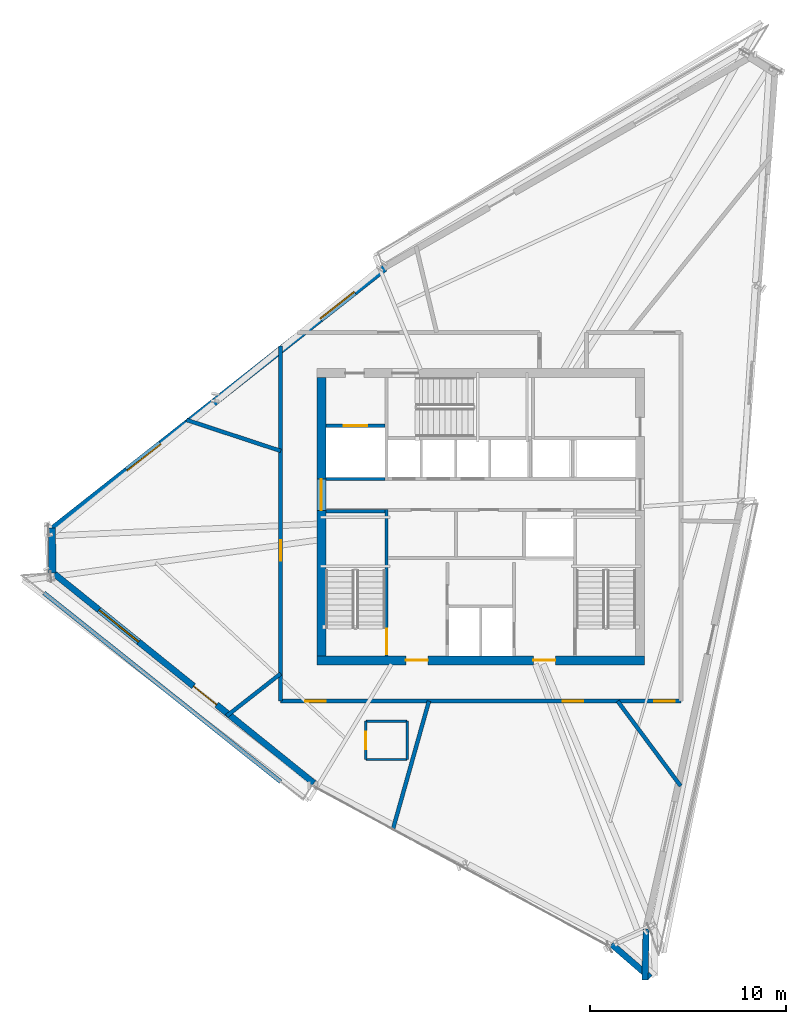
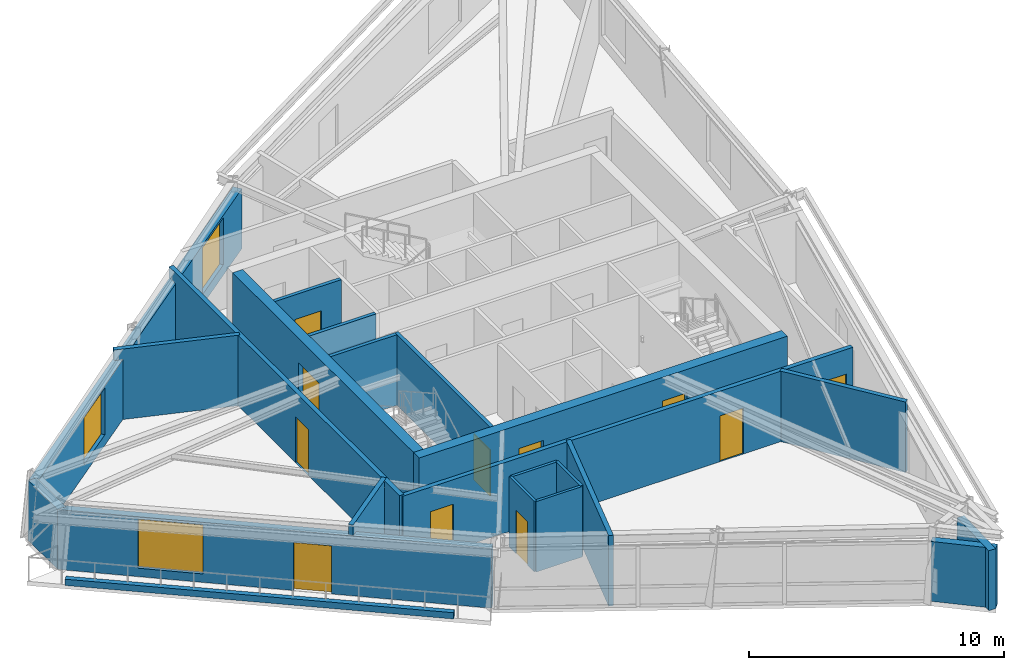
# One storey, part 10 of 15: 22 walls, 11 doors, 3 windows, 14 openings.
"""IFC4 building model written with IfcOpenShell, lengths in metres."""

from ifc_helpers import new_model, si_unit, direction, frame, frame_2d, origin, place, context, subcontext, project, spatial, rectangle, extrude, source, transform, mapped, material, layer, layer_set, type_object, type_shapes, element, fill, save


model = new_model("IFC4")

# Units and contexts
model_context = context("Model", 3, precision=1e-05, world=origin(), true_north=direction((0.0, 1.0)))
body_context = subcontext(model_context, "Body", "Model", "MODEL_VIEW")
ifc_project = project(units=[si_unit("LENGTHUNIT", "METRE"), si_unit("AREAUNIT", "SQUARE_METRE"), si_unit("VOLUMEUNIT", "CUBIC_METRE"), si_unit("PLANEANGLEUNIT", "RADIAN"), si_unit("MASSUNIT", "GRAM", prefix="KILO")], contexts=[model_context])

# Site, building, storey
site_placement = place(None, origin())
site = spatial("IfcSite", under=ifc_project, at=site_placement, CompositionType="ELEMENT")
building_placement = place(site_placement, origin())
building = spatial("IfcBuilding", under=site, at=building_placement, Name="Olszyna Solenne Hotel", CompositionType="ELEMENT")
storey_placement = place(building_placement, frame((0.0, 0.0, 270.5)))
storey = spatial("IfcBuildingStorey", under=building, at=storey_placement, Name="L72", CompositionType="ELEMENT", Elevation=270.5)

# Wall, openings, doors
ifc_material_1 = material(Name="Concrete C50/60", Category="concrete")
ifc_layer_1 = layer(ifc_material_1, 0.449951171875, Name="Concrete C50/60")
ifc_layer_set_1 = layer_set([ifc_layer_1], Name="Concrete C50/60")
wall_type_1 = type_object("IfcWallType", Name="WL-CR450", PredefinedType="SHEAR", material=ifc_layer_set_1)
wall_1_placement = place(storey_placement, frame((46.35009765625, 19.27490234375, 0.0), z_axis=(0.0, 0.0, 1.0), x_axis=(-1.0, 0.0, 0.0)))
wall_1 = element("IfcWall", 1, at=wall_1_placement, inside=storey, type_object=wall_type_1, Name="Core shear wall WL-CR450 CRW-L72-S", PredefinedType="SHEAR", context=body_context, shape_type="SweptSolid", body=[
    extrude(rectangle(XDim=16.7001953125, YDim=0.449951171875, at=frame_2d((8.35009765625, 0.0))), origin(), (0.0, 0.0, 1.0), 3.3798828125),
])
opening_1_placement = place(wall_1_placement, frame((4.550048828125, 0.0, 0.0)))
opening_1 = element("IfcOpeningElement", 2, at=opening_1_placement, cuts=wall_1, Name="Opening FL-L72-1", PredefinedType="OPENING", context=body_context, shape_type="SweptSolid", body=[
    extrude(rectangle(XDim=1.1201171875, YDim=2.25, at=frame_2d((0.56005859375, 1.125))), frame((0.0, 0.23486328125, 0.0), z_axis=(0.0, -1.0, 0.0), x_axis=(1.0, 0.0, 0.0)), (0.0, 0.0, 1.0), 0.469970703125),
])
opening_2_placement = place(wall_1_placement, frame((11.050048828125, 0.0, 0.0)))
opening_2 = element("IfcOpeningElement", 3, at=opening_2_placement, cuts=wall_1, Name="Opening FL-L72-2", PredefinedType="OPENING", context=body_context, shape_type="SweptSolid", body=[
    extrude(rectangle(XDim=1.1201171875, YDim=2.25, at=frame_2d((0.56005859375, 1.125))), frame((0.0, 0.23486328125, 0.0), z_axis=(0.0, -1.0, 0.0), x_axis=(1.0, 0.0, 0.0)), (0.0, 0.0, 1.0), 0.469970703125),
])
ifc_material_2 = material(Name="Steel S355J2", Category="steel")
door_type_1 = type_object("IfcDoorType", Name="DR-FL1", OperationType="NOTDEFINED", PredefinedType="DOOR", material=ifc_material_2)
shared_shape_1 = source(origin(), body_context, "Body", "SweptSolid", [
    extrude(rectangle(XDim=1.1201171875, YDim=2.25, at=frame_2d((0.56005859375, 1.125))), frame((0.0, 0.02490234375, 0.0), z_axis=(0.0, -1.0, 0.0), x_axis=(1.0, 0.0, 0.0)), (0.0, 0.0, 1.0), 0.050048828125),
])
type_shapes(door_type_1, [shared_shape_1])
door_1_placement = place(opening_1_placement, origin())
door_1 = element("IfcDoor", 4, at=door_1_placement, inside=storey, type_object=door_type_1, Name="Firefighting lift lobby smoke door FL-L72-1", OperationType="SINGLE_SWING_LEFT", OverallHeight=2.25, OverallWidth=1.1201171875, PredefinedType="DOOR", context=body_context, shape_type="MappedRepresentation", body=[
    mapped(shared_shape_1, transform((0.0, 0.0, 0.0), x_axis=(1.0, 0.0, 0.0), y_axis=(0.0, 1.0, 0.0), z_axis=(0.0, 0.0, 1.0), scale=1.0)),
])
fill(opening_1, door_1)
door_2_placement = place(opening_2_placement, origin())
door_2 = element("IfcDoor", 5, at=door_2_placement, inside=storey, type_object=door_type_1, Name="Firefighting lift lobby smoke door FL-L72-2", OperationType="SINGLE_SWING_RIGHT", OverallHeight=2.25, OverallWidth=1.1201171875, PredefinedType="DOOR", context=body_context, shape_type="MappedRepresentation", body=[
    mapped(shared_shape_1, transform((0.0, 0.0, 0.0), x_axis=(1.0, 0.0, 0.0), y_axis=(0.0, 1.0, 0.0), z_axis=(0.0, 0.0, 1.0), scale=1.0)),
])
fill(opening_2, door_2)

# Wall, opening, door
wall_2_placement = place(storey_placement, frame((29.875, 19.5, 0.0), z_axis=(0.0, 0.0, 1.0), x_axis=(0.0, 1.0, 0.0)))
wall_2 = element("IfcWall", 6, at=wall_2_placement, inside=storey, type_object=wall_type_1, Name="Core shear wall WL-CR450 CRW-L72-W", PredefinedType="SHEAR", context=body_context, shape_type="SweptSolid", body=[
    extrude(rectangle(XDim=14.199951171875, YDim=0.449951171875, at=frame_2d((7.10009765625, 0.0))), origin(), (0.0, 0.0, 1.0), 3.3798828125),
])
opening_3_placement = place(wall_2_placement, frame((7.419921875, 0.0, 0.0)))
opening_3 = element("IfcOpeningElement", 7, at=opening_3_placement, cuts=wall_2, Name="Opening LHD-L72-W", PredefinedType="OPENING", context=body_context, shape_type="SweptSolid", body=[
    extrude(rectangle(XDim=1.60009765625, YDim=2.199951171875, at=frame_2d((0.800048828125, 1.10009765625))), frame((0.0, 0.23486328125, 0.0), z_axis=(0.0, -1.0, 0.0), x_axis=(1.0, 0.0, 0.0)), (0.0, 0.0, 1.0), 0.469970703125),
])
ifc_material_3 = material(Name="Timber hardwood", Category="wood")
door_type_2 = type_object("IfcDoorType", Name="DR-CR1", OperationType="DOUBLE_DOOR_SINGLE_SWING", PredefinedType="DOOR", material=ifc_material_3)
shared_shape_2 = source(origin(), body_context, "Body", "SweptSolid", [
    extrude(rectangle(XDim=1.60009765625, YDim=2.199951171875, at=frame_2d((0.800048828125, 1.10009765625))), frame((0.0, 0.02490234375, 0.0), z_axis=(0.0, -1.0, 0.0), x_axis=(1.0, 0.0, 0.0)), (0.0, 0.0, 1.0), 0.050048828125),
])
type_shapes(door_type_2, [shared_shape_2])
door_3_placement = place(opening_3_placement, origin())
door_3 = element("IfcDoor", 8, at=door_3_placement, inside=storey, type_object=door_type_2, Name="Passenger lift lobby West fire door LHD-L72-W", OperationType="DOUBLE_DOOR_SINGLE_SWING", OverallHeight=2.199951171875, OverallWidth=1.60009765625, PredefinedType="DOOR", context=body_context, shape_type="MappedRepresentation", body=[
    mapped(shared_shape_2, transform((0.0, 0.0, 0.0), x_axis=(1.0, 0.0, 0.0), y_axis=(0.0, 1.0, 0.0), z_axis=(0.0, 0.0, 1.0), scale=1.0)),
])
fill(opening_3, door_3)

# Walls
ifc_material_4 = material(Name="Precast concrete C45/55", Category="concrete")
ifc_layer_2 = layer(ifc_material_4, 0.320068359375, Name="Precast concrete C45/55")
ifc_layer_set_2 = layer_set([ifc_layer_2], Name="Precast concrete C45/55")
wall_type_2 = type_object("IfcWallType", Name="WL-EX320", PredefinedType="SOLIDWALL", material=ifc_layer_set_2)
for number, where, z_axis, x_axis, name in (
    (9, (46.429443359375, 5.583984375, 0.0), (0.0, 0.0, 1.0), (-0.022840974422, -0.999739110912, 0.0), "Exterior terracotta-precast frame wall WL-EX320 EW-L72-02"),
    (10, (46.635009765625, 3.1044921875, 0.0), (0.0, 0.0, 1.0), (-0.755996031842, 0.65457619865, 0.0), "Exterior terracotta-precast frame wall WL-EX320 EW-L72-03"),
):
    element("IfcWall", number, at=place(storey_placement, frame(where, z_axis=z_axis, x_axis=x_axis)), inside=storey, type_object=wall_type_2, Name=name, PredefinedType="SOLIDWALL", context=body_context, shape_type="SweptSolid", body=[
        extrude(rectangle(XDim=2.597412109375, YDim=0.320068359375, at=frame_2d((1.298828125, 0.0))), origin(), (0.0, 0.0, 1.0), 2.8720703125),
    ])

# Wall, openings, door, window
wall_3_placement = place(storey_placement, frame((29.490234375, 13.020751953125, 0.0), z_axis=(0.0, 0.0, 1.0), x_axis=(-0.778476594197, 0.627673635169, 0.0)))
wall_3 = element("IfcWall", 11, at=wall_3_placement, inside=storey, type_object=wall_type_2, Name="Exterior terracotta-precast frame wall WL-EX320 EW-L72-05", PredefinedType="SOLIDWALL", context=body_context, shape_type="SweptSolid", body=[
    extrude(rectangle(XDim=17.25634765625, YDim=0.320068359375, at=frame_2d((8.628173828125, 0.0))), origin(), (0.0, 0.0, 1.0), 2.8720703125),
])
opening_4_placement = place(wall_3_placement, frame((6.3720703125, 0.0, 0.0)))
opening_4 = element("IfcOpeningElement", 12, at=opening_4_placement, cuts=wall_3, Name="Opening LDG-L72-2", PredefinedType="OPENING", context=body_context, shape_type="SweptSolid", body=[
    extrude(rectangle(XDim=1.5, YDim=2.300048828125, at=frame_2d((0.75, 1.14990234375))), frame((0.0, 0.169921875, 0.0), z_axis=(0.0, -1.0, 0.0), x_axis=(1.0, 0.0, 0.0)), (0.0, 0.0, 1.0), 0.340087890625),
])
opening_5_placement = place(wall_3_placement, frame((11.469970703125, 0.0, 0.402099609375)))
opening_5 = element("IfcOpeningElement", 13, at=opening_5_placement, cuts=wall_3, Name="Opening WN-L72-481", PredefinedType="OPENING", context=body_context, shape_type="SweptSolid", body=[
    extrude(rectangle(XDim=2.60009765625, YDim=2.35009765625, at=frame_2d((1.300048828125, 1.175048828125))), frame((0.0, 0.169921875, 0.0), z_axis=(0.0, -1.0, 0.0), x_axis=(1.0, 0.0, 0.0)), (0.0, 0.0, 1.0), 0.340087890625),
])
ifc_material_5 = material(Name="Anodised bronze aluminium", Category="aluminium")
door_type_3 = type_object("IfcDoorType", Name="DR-LG2", OperationType="DOUBLE_DOOR_SINGLE_SWING", PredefinedType="DOOR", material=ifc_material_5)
shared_shape_3 = source(origin(), body_context, "Body", "SweptSolid", [
    extrude(rectangle(XDim=1.5, YDim=2.300048828125, at=frame_2d((0.75, 1.14990234375))), frame((0.0, 0.02490234375, 0.0), z_axis=(0.0, -1.0, 0.0), x_axis=(1.0, 0.0, 0.0)), (0.0, 0.0, 1.0), 0.050048828125),
])
type_shapes(door_type_3, [shared_shape_3])
door_4_placement = place(opening_4_placement, origin())
door_4 = element("IfcDoor", 14, at=door_4_placement, inside=storey, type_object=door_type_3, Name="Exterior loggia balcony door DR-LG2 LDG-L72-2", OperationType="DOUBLE_DOOR_SINGLE_SWING", OverallHeight=2.300048828125, OverallWidth=1.5, PredefinedType="DOOR", context=body_context, shape_type="MappedRepresentation", body=[
    mapped(shared_shape_3, transform((0.0, 0.0, 0.0), x_axis=(1.0, 0.0, 0.0), y_axis=(0.0, 1.0, 0.0), z_axis=(0.0, 0.0, 1.0), scale=1.0)),
])
fill(opening_4, door_4)
ifc_material_6 = material(Name="Low-E triple glazing", Category="glass")
window_type_1 = type_object("IfcWindowType", Name="WN-ST1", PartitioningType="SINGLE_PANEL", PredefinedType="WINDOW", material=ifc_material_6)
shared_shape_4 = source(origin(), body_context, "Body", "SweptSolid", [
    extrude(rectangle(XDim=2.60009765625, YDim=2.35009765625, at=frame_2d((1.300048828125, 1.175048828125))), frame((0.0, 0.030029296875, 0.0), z_axis=(0.0, -1.0, 0.0), x_axis=(1.0, 0.0, 0.0)), (0.0, 0.0, 1.0), 0.06005859375),
])
type_shapes(window_type_1, [shared_shape_4])
window_1_placement = place(opening_5_placement, origin())
window_1 = element("IfcWindow", 15, at=window_1_placement, inside=storey, type_object=window_type_1, Name="Loggia room window WN-ST1 WN-L72-481", OverallHeight=2.35009765625, OverallWidth=2.60009765625, PartitioningType="SINGLE_PANEL", PredefinedType="WINDOW", context=body_context, shape_type="MappedRepresentation", body=[
    mapped(shared_shape_4, transform((0.0, 0.0, 0.0), x_axis=(1.0, 0.0, 0.0), y_axis=(0.0, 1.0, 0.0), z_axis=(0.0, 0.0, 1.0), scale=1.0)),
])
fill(opening_5, window_1)

# Wall
ifc_material_7 = material(Name="Terracotta cladding on precast concrete C45/55", Category="masonry")
ifc_layer_3 = layer(ifc_material_7, 0.3798828125, Name="Terracotta cladding on precast concrete C45/55")
ifc_layer_set_3 = layer_set([ifc_layer_3], Name="Terracotta cladding on precast concrete C45/55")
wall_type_3 = type_object("IfcWallType", Name="WL-EX380", PredefinedType="SOLIDWALL", material=ifc_layer_set_3)
wall_4_placement = place(storey_placement, frame((16.146240234375, 23.72802734375, 0.0), z_axis=(0.0, 0.0, 1.0), x_axis=(-0.003507631483, 0.999993848242, 0.0)))
element("IfcWall", 16, at=wall_4_placement, inside=storey, type_object=wall_type_3, Name="Exterior terracotta-precast frame wall WL-EX380 EW-L72-06", PredefinedType="SOLIDWALL", context=body_context, shape_type="SweptSolid", body=[
    extrude(rectangle(XDim=2.296875, YDim=0.3798828125, at=frame_2d((1.1484375, 0.0))), origin(), (0.0, 0.0, 1.0), 2.8720703125),
])

# Wall, openings, windows
wall_5_placement = place(storey_placement, frame((16.065673828125, 25.875, 0.0), z_axis=(0.0, 0.0, 1.0), x_axis=(0.785693730349, 0.61861568206, 0.0)))
wall_5 = element("IfcWall", 17, at=wall_5_placement, inside=storey, type_object=wall_type_3, Name="Exterior terracotta-precast frame wall WL-EX380 EW-L72-07", PredefinedType="SOLIDWALL", context=body_context, shape_type="SweptSolid", body=[
    extrude(rectangle(XDim=21.674560546875, YDim=0.3798828125, at=frame_2d((10.83740234375, 0.0))), origin(), (0.0, 0.0, 1.0), 2.8720703125),
])
opening_6_placement = place(wall_5_placement, frame((4.968994140625, 0.0, 0.501953125)))
opening_6 = element("IfcOpeningElement", 18, at=opening_6_placement, cuts=wall_5, Name="Opening WN-L72-482", PredefinedType="OPENING", context=body_context, shape_type="SweptSolid", body=[
    extrude(rectangle(XDim=2.199951171875, YDim=2.25, at=frame_2d((1.10009765625, 1.125))), frame((0.0, 0.199951171875, 0.0), z_axis=(0.0, -1.0, 0.0), x_axis=(1.0, 0.0, 0.0)), (0.0, 0.0, 1.0), 0.39990234375),
])
opening_7_placement = place(wall_5_placement, frame((17.506103515625, 0.0, 0.501953125)))
opening_7 = element("IfcOpeningElement", 19, at=opening_7_placement, cuts=wall_5, Name="Opening WN-L72-483", PredefinedType="OPENING", context=body_context, shape_type="SweptSolid", body=[
    extrude(rectangle(XDim=2.199951171875, YDim=2.25, at=frame_2d((1.10009765625, 1.125))), frame((0.0, 0.199951171875, 0.0), z_axis=(0.0, -1.0, 0.0), x_axis=(1.0, 0.0, 0.0)), (0.0, 0.0, 1.0), 0.39990234375),
])
window_type_2 = type_object("IfcWindowType", Name="WN-HT2", PartitioningType="SINGLE_PANEL", PredefinedType="WINDOW", material=ifc_material_6)
shared_shape_5 = source(origin(), body_context, "Body", "SweptSolid", [
    extrude(rectangle(XDim=2.199951171875, YDim=2.25, at=frame_2d((1.10009765625, 1.125))), frame((0.0, 0.030029296875, 0.0), z_axis=(0.0, -1.0, 0.0), x_axis=(1.0, 0.0, 0.0)), (0.0, 0.0, 1.0), 0.06005859375),
])
type_shapes(window_type_2, [shared_shape_5])
window_2_placement = place(opening_6_placement, origin())
window_2 = element("IfcWindow", 20, at=window_2_placement, inside=storey, type_object=window_type_2, Name="Exterior facade window WN-HT2 WN-L72-482", OverallHeight=2.25, OverallWidth=2.199951171875, PartitioningType="SINGLE_PANEL", PredefinedType="WINDOW", context=body_context, shape_type="MappedRepresentation", body=[
    mapped(shared_shape_5, transform((0.0, 0.0, 0.0), x_axis=(1.0, 0.0, 0.0), y_axis=(0.0, 1.0, 0.0), z_axis=(0.0, 0.0, 1.0), scale=1.0)),
])
fill(opening_6, window_2)
window_3_placement = place(opening_7_placement, origin())
window_3 = element("IfcWindow", 21, at=window_3_placement, inside=storey, type_object=window_type_2, Name="Exterior facade window WN-HT2 WN-L72-483", OverallHeight=2.25, OverallWidth=2.199951171875, PartitioningType="SINGLE_PANEL", PredefinedType="WINDOW", context=body_context, shape_type="MappedRepresentation", body=[
    mapped(shared_shape_5, transform((0.0, 0.0, 0.0), x_axis=(1.0, 0.0, 0.0), y_axis=(0.0, 1.0, 0.0), z_axis=(0.0, 0.0, 1.0), scale=1.0)),
])
fill(opening_7, window_3)

# Walls
ifc_layer_4 = layer(ifc_material_4, 0.219970703125, Name="Precast concrete C45/55")
ifc_layer_set_4 = layer_set([ifc_layer_4], Name="Precast concrete C45/55")
wall_type_4 = type_object("IfcWallType", Name="WL-PR220", PredefinedType="PARAPET", material=ifc_layer_set_4)
wall_6_placement = place(storey_placement, frame((15.7294921875, 22.71142578125, 0.0), z_axis=(0.0, 0.0, 1.0), x_axis=(0.781937578539, -0.623356738368, 0.0)))
element("IfcWall", 22, at=wall_6_placement, inside=storey, type_object=wall_type_4, Name="Loggia balcony precast kerb PR-L72-LG2", PredefinedType="PARAPET", context=body_context, shape_type="SweptSolid", body=[
    extrude(rectangle(XDim=15.427734375, YDim=0.219970703125, at=frame_2d((7.7138671875, 0.0))), origin(), (0.0, 0.0, 1.0), 0.300048828125),
])
ifc_material_8 = material(Name="Acoustic gypsum partition", Category="gypsum")
ifc_layer_5 = layer(ifc_material_8, 0.125, Name="Acoustic gypsum partition")
ifc_layer_set_5 = layer_set([ifc_layer_5], Name="Acoustic gypsum partition")
wall_type_5 = type_object("IfcWallType", Name="WL-PT125", PredefinedType="PARTITIONING", material=ifc_layer_set_5)
wall_7_placement = place(storey_placement, frame((34.239990234375, 14.22607421875, 0.0), z_axis=(0.0, 0.0, 1.0), x_axis=(0.0, 1.0, 0.0)))
element("IfcWall", 23, at=wall_7_placement, inside=storey, type_object=wall_type_5, Name="Interior acoustic partition WL-PT125 PW-L72-3971", PredefinedType="PARTITIONING", context=body_context, shape_type="SweptSolid", body=[
    extrude(rectangle(XDim=1.949951171875, YDim=0.125, at=frame_2d((0.97509765625, 0.0))), origin(), (0.0, 0.0, 1.0), 3.3798828125),
])
wall_8_placement = place(storey_placement, frame((34.239990234375, 16.176025390625, 0.0), z_axis=(0.0, 0.0, 1.0), x_axis=(-1.0, 0.0, 0.0)))
element("IfcWall", 24, at=wall_8_placement, inside=storey, type_object=wall_type_5, Name="Interior acoustic partition WL-PT125 PW-L72-3972", PredefinedType="PARTITIONING", context=body_context, shape_type="SweptSolid", body=[
    extrude(rectangle(XDim=2.10009765625, YDim=0.125, at=frame_2d((1.050048828125, 0.0))), origin(), (0.0, 0.0, 1.0), 3.3798828125),
])

# Wall, opening, door
wall_9_placement = place(storey_placement, frame((32.139892578125, 16.176025390625, 0.0), z_axis=(0.0, 0.0, 1.0), x_axis=(0.0, -1.0, 0.0)))
wall_9 = element("IfcWall", 25, at=wall_9_placement, inside=storey, type_object=wall_type_5, Name="Interior acoustic partition WL-PT125 PW-L72-3973", PredefinedType="PARTITIONING", context=body_context, shape_type="SweptSolid", body=[
    extrude(rectangle(XDim=1.949951171875, YDim=0.125, at=frame_2d((0.97509765625, 0.0))), origin(), (0.0, 0.0, 1.0), 3.3798828125),
])
opening_8_placement = place(wall_9_placement, frame((0.52490234375, 0.0, 0.0)))
opening_8 = element("IfcOpeningElement", 26, at=opening_8_placement, cuts=wall_9, Name="Opening DR-L72-0960", PredefinedType="OPENING", context=body_context, shape_type="SweptSolid", body=[
    extrude(rectangle(XDim=0.89990234375, YDim=2.10009765625, at=frame_2d((0.449951171875, 1.050048828125))), frame((0.0, 0.072509765625, 0.0), z_axis=(0.0, -1.0, 0.0), x_axis=(1.0, 0.0, 0.0)), (0.0, 0.0, 1.0), 0.14501953125),
])
door_type_4 = type_object("IfcDoorType", Name="DR-WC1", OperationType="NOTDEFINED", PredefinedType="DOOR", material=ifc_material_3)
shared_shape_6 = source(origin(), body_context, "Body", "SweptSolid", [
    extrude(rectangle(XDim=0.89990234375, YDim=2.10009765625, at=frame_2d((0.449951171875, 1.050048828125))), frame((0.0, 0.02490234375, 0.0), z_axis=(0.0, -1.0, 0.0), x_axis=(1.0, 0.0, 0.0)), (0.0, 0.0, 1.0), 0.050048828125),
])
type_shapes(door_type_4, [shared_shape_6])
door_5_placement = place(opening_8_placement, origin())
door_5 = element("IfcDoor", 27, at=door_5_placement, inside=storey, type_object=door_type_4, Name="En-Suite Bathroom Door DR-L72-0960", OperationType="SINGLE_SWING_LEFT", OverallHeight=2.10009765625, OverallWidth=0.89990234375, PredefinedType="DOOR", context=body_context, shape_type="MappedRepresentation", body=[
    mapped(shared_shape_6, transform((0.0, 0.0, 0.0), x_axis=(1.0, 0.0, 0.0), y_axis=(0.0, 1.0, 0.0), z_axis=(0.0, 0.0, 1.0), scale=1.0)),
])
fill(opening_8, door_5)

# Wall
wall_10_placement = place(storey_placement, frame((32.139892578125, 14.22607421875, 0.0), z_axis=(0.0, 0.0, 1.0), x_axis=(1.0, 0.0, 0.0)))
element("IfcWall", 28, at=wall_10_placement, inside=storey, type_object=wall_type_5, Name="Interior acoustic partition WL-PT125 PW-L72-3974", PredefinedType="PARTITIONING", context=body_context, shape_type="SweptSolid", body=[
    extrude(rectangle(XDim=2.10009765625, YDim=0.125, at=frame_2d((1.050048828125, 0.0))), origin(), (0.0, 0.0, 1.0), 3.3798828125),
])

# Wall, opening, door
ifc_layer_6 = layer(ifc_material_8, 0.159912109375, Name="Acoustic gypsum partition")
ifc_layer_set_6 = layer_set([ifc_layer_6], Name="Acoustic gypsum partition")
wall_type_6 = type_object("IfcWallType", Name="WL-PT160", PredefinedType="PARTITIONING", material=ifc_layer_set_6)
wall_11_placement = place(storey_placement, frame((33.199951171875, 19.5, 0.0), z_axis=(0.0, 0.0, 1.0), x_axis=(0.0, 1.0, 0.0)))
wall_11 = element("IfcWall", 29, at=wall_11_placement, inside=storey, type_object=wall_type_6, Name="Core shaft compartment wall CW-L72-ST1E", PredefinedType="PARTITIONING", context=body_context, shape_type="SweptSolid", body=[
    extrude(rectangle(XDim=7.4599609375, YDim=0.159912109375, at=frame_2d((3.72998046875, 0.0))), origin(), (0.0, 0.0, 1.0), 3.3798828125),
])
opening_9_placement = place(wall_11_placement, frame((0.080078125, 0.0, 0.0)))
opening_9 = element("IfcOpeningElement", 30, at=opening_9_placement, cuts=wall_11, Name="Opening STD-L72-01", PredefinedType="OPENING", context=body_context, shape_type="SweptSolid", body=[
    extrude(rectangle(XDim=1.320068359375, YDim=2.199951171875, at=frame_2d((0.66015625, 1.10009765625))), frame((0.0, 0.08984375, 0.0), z_axis=(0.0, -1.0, 0.0), x_axis=(1.0, 0.0, 0.0)), (0.0, 0.0, 1.0), 0.179931640625),
])
door_type_5 = type_object("IfcDoorType", Name="DR-ST1", OperationType="NOTDEFINED", PredefinedType="DOOR", material=ifc_material_2)
shared_shape_7 = source(origin(), body_context, "Body", "SweptSolid", [
    extrude(rectangle(XDim=1.320068359375, YDim=2.199951171875, at=frame_2d((0.66015625, 1.10009765625))), frame((0.0, 0.02490234375, 0.0), z_axis=(0.0, -1.0, 0.0), x_axis=(1.0, 0.0, 0.0)), (0.0, 0.0, 1.0), 0.050048828125),
])
type_shapes(door_type_5, [shared_shape_7])
door_6_placement = place(opening_9_placement, origin())
door_6 = element("IfcDoor", 31, at=door_6_placement, inside=storey, type_object=door_type_5, Name="Pressurised exit stair ST1 fire door STD-L72-01", OperationType="SINGLE_SWING_LEFT", OverallHeight=2.199951171875, OverallWidth=1.320068359375, PredefinedType="DOOR", context=body_context, shape_type="MappedRepresentation", body=[
    mapped(shared_shape_7, transform((0.0, 0.0, 0.0), x_axis=(1.0, 0.0, 0.0), y_axis=(0.0, 1.0, 0.0), z_axis=(0.0, 0.0, 1.0), scale=1.0)),
])
fill(opening_9, door_6)

# Walls
for number, where, z_axis, x_axis, name in (
    (32, (30.10009765625, 26.8798828125, 0.0), (0.0, 0.0, 1.0), (1.0, 0.0, 0.0), "Core shaft compartment wall CW-L72-ST1N"),
    (33, (30.10009765625, 28.52001953125, 0.0), (0.0, 0.0, 1.0), (1.0, 0.0, 0.0), "Core shaft compartment wall CW-L72-SV1S"),
):
    element("IfcWall", number, at=place(storey_placement, frame(where, z_axis=z_axis, x_axis=x_axis)), inside=storey, type_object=wall_type_6, Name=name, PredefinedType="PARTITIONING", context=body_context, shape_type="SweptSolid", body=[
        extrude(rectangle(XDim=3.02001953125, YDim=0.159912109375, at=frame_2d((1.510009765625, 0.0))), origin(), (0.0, 0.0, 1.0), 3.3798828125),
    ])

# Wall, opening, door
wall_12_placement = place(storey_placement, frame((30.10009765625, 31.239990234375, 0.0), z_axis=(0.0, 0.0, 1.0), x_axis=(1.0, 0.0, 0.0)))
wall_12 = element("IfcWall", 34, at=wall_12_placement, inside=storey, type_object=wall_type_6, Name="Core shaft compartment wall CW-L72-SV1N", PredefinedType="PARTITIONING", context=body_context, shape_type="SweptSolid", body=[
    extrude(rectangle(XDim=3.02001953125, YDim=0.159912109375, at=frame_2d((1.510009765625, 0.0))), origin(), (0.0, 0.0, 1.0), 3.3798828125),
])
opening_10_placement = place(wall_12_placement, frame((0.909912109375, 0.0, 0.0)))
opening_10 = element("IfcOpeningElement", 35, at=opening_10_placement, cuts=wall_12, Name="Opening LD-L72-SV1", PredefinedType="OPENING", context=body_context, shape_type="SweptSolid", body=[
    extrude(rectangle(XDim=1.199951171875, YDim=2.199951171875, at=frame_2d((0.60009765625, 1.10009765625))), frame((0.0, 0.08984375, 0.0), z_axis=(0.0, -1.0, 0.0), x_axis=(1.0, 0.0, 0.0)), (0.0, 0.0, 1.0), 0.179931640625),
])
door_type_6 = type_object("IfcDoorType", Name="LD-FF1", OperationType="DOUBLE_DOOR_SLIDING", PredefinedType="DOOR", material=ifc_material_2)
shared_shape_8 = source(origin(), body_context, "Body", "SweptSolid", [
    extrude(rectangle(XDim=1.199951171875, YDim=2.199951171875, at=frame_2d((0.60009765625, 1.10009765625))), frame((0.0, 0.02490234375, 0.0), z_axis=(0.0, -1.0, 0.0), x_axis=(1.0, 0.0, 0.0)), (0.0, 0.0, 1.0), 0.050048828125),
])
type_shapes(door_type_6, [shared_shape_8])
door_7_placement = place(opening_10_placement, origin())
door_7 = element("IfcDoor", 36, at=door_7_placement, inside=storey, type_object=door_type_6, Name="Service lift SV1 sliding landing door LD-L72-SV1", OperationType="DOUBLE_DOOR_SLIDING", OverallHeight=2.199951171875, OverallWidth=1.199951171875, PredefinedType="DOOR", context=body_context, shape_type="MappedRepresentation", body=[
    mapped(shared_shape_8, transform((0.0, 0.0, 0.0), x_axis=(1.0, 0.0, 0.0), y_axis=(0.0, 1.0, 0.0), z_axis=(0.0, 0.0, 1.0), scale=1.0)),
])
fill(opening_10, door_7)

# Walls
ifc_layer_7 = layer(ifc_material_8, 0.199951171875, Name="Acoustic gypsum partition")
ifc_layer_set_7 = layer_set([ifc_layer_7], Name="Acoustic gypsum partition")
wall_type_7 = type_object("IfcWallType", Name="WL-PT200", PredefinedType="PARTITIONING", material=ifc_layer_set_7)
wall_13_placement = place(storey_placement, frame((35.35791015625, 17.199951171875, 0.0), z_axis=(0.0, 0.0, 1.0), x_axis=(-0.270598132861, -0.962692396611, 0.0)))
element("IfcWall", 37, at=wall_13_placement, inside=storey, type_object=wall_type_7, Name="Interior acoustic partition WL-PT200 PW-L72-3964", PredefinedType="PARTITIONING", context=body_context, shape_type="SweptSolid", body=[
    extrude(rectangle(XDim=6.76123046875, YDim=0.199951171875, at=frame_2d((3.380615234375, 0.0))), origin(), (0.0, 0.0, 1.0), 3.3798828125),
])
wall_14_placement = place(storey_placement, frame((44.978515625, 17.199951171875, 0.0), z_axis=(0.0, 0.0, 1.0), x_axis=(0.596107962847, -0.802904288586, 0.0)))
element("IfcWall", 38, at=wall_14_placement, inside=storey, type_object=wall_type_7, Name="Interior acoustic partition WL-PT200 PW-L72-3965", PredefinedType="PARTITIONING", context=body_context, shape_type="SweptSolid", body=[
    extrude(rectangle(XDim=5.389404296875, YDim=0.199951171875, at=frame_2d((2.69482421875, 0.0))), origin(), (0.0, 0.0, 1.0), 3.3798828125),
])
wall_15_placement = place(storey_placement, frame((27.800048828125, 29.956298828125, 0.0), z_axis=(0.0, 0.0, 1.0), x_axis=(-0.949893157057, 0.312574775336, 0.0)))
element("IfcWall", 39, at=wall_15_placement, inside=storey, type_object=wall_type_7, Name="Interior acoustic partition WL-PT200 PW-L72-3969", PredefinedType="PARTITIONING", context=body_context, shape_type="SweptSolid", body=[
    extrude(rectangle(XDim=5.055908203125, YDim=0.199951171875, at=frame_2d((2.52783203125, 0.0))), origin(), (0.0, 0.0, 1.0), 3.3798828125),
])
wall_16_placement = place(storey_placement, frame((27.800048828125, 18.6025390625, 0.0), z_axis=(0.0, 0.0, 1.0), x_axis=(-0.786941631294, -0.617027445854, 0.0)))
element("IfcWall", 40, at=wall_16_placement, inside=storey, type_object=wall_type_7, Name="Interior acoustic partition WL-PT200 PW-L72-3970", PredefinedType="PARTITIONING", context=body_context, shape_type="SweptSolid", body=[
    extrude(rectangle(XDim=3.50439453125, YDim=0.199951171875, at=frame_2d((1.752197265625, 0.0))), origin(), (0.0, 0.0, 1.0), 3.3798828125),
])

# Wall, openings, doors
wall_17_placement = place(storey_placement, frame((27.800048828125, 17.199951171875, 0.0), z_axis=(0.0, 0.0, 1.0), x_axis=(1.0, 0.0, 0.0)))
wall_17 = element("IfcWall", 41, at=wall_17_placement, inside=storey, type_object=wall_type_7, Name="Interior acoustic partition WL-PT200 PW-L72-3975", PredefinedType="PARTITIONING", context=body_context, shape_type="SweptSolid", body=[
    extrude(rectangle(XDim=20.39990234375, YDim=0.199951171875, at=frame_2d((10.199951171875, 0.0))), origin(), (0.0, 0.0, 1.0), 3.3798828125),
])
opening_11_placement = place(wall_17_placement, frame((14.3779296875, 0.0, 0.0)))
opening_11 = element("IfcOpeningElement", 42, at=opening_11_placement, cuts=wall_17, Name="Opening DR-L72-0961", PredefinedType="OPENING", context=body_context, shape_type="SweptSolid", body=[
    extrude(rectangle(XDim=1.050048828125, YDim=2.199951171875, at=frame_2d((0.52490234375, 1.10009765625))), frame((0.0, 0.10986328125, 0.0), z_axis=(0.0, -1.0, 0.0), x_axis=(1.0, 0.0, 0.0)), (0.0, 0.0, 1.0), 0.219970703125),
])
opening_12_placement = place(wall_17_placement, frame((19.050048828125, 0.0, 0.0)))
opening_12 = element("IfcOpeningElement", 43, at=opening_12_placement, cuts=wall_17, Name="Opening DR-L72-0962", PredefinedType="OPENING", context=body_context, shape_type="SweptSolid", body=[
    extrude(rectangle(XDim=1.050048828125, YDim=2.199951171875, at=frame_2d((0.52490234375, 1.10009765625))), frame((0.0, 0.10986328125, 0.0), z_axis=(0.0, -1.0, 0.0), x_axis=(1.0, 0.0, 0.0)), (0.0, 0.0, 1.0), 0.219970703125),
])
opening_13_placement = place(wall_17_placement, frame((1.240966796875, 0.0, 0.0)))
opening_13 = element("IfcOpeningElement", 44, at=opening_13_placement, cuts=wall_17, Name="Opening DR-L72-0963", PredefinedType="OPENING", context=body_context, shape_type="SweptSolid", body=[
    extrude(rectangle(XDim=1.050048828125, YDim=2.199951171875, at=frame_2d((0.52490234375, 1.10009765625))), frame((0.0, 0.10986328125, 0.0), z_axis=(0.0, -1.0, 0.0), x_axis=(1.0, 0.0, 0.0)), (0.0, 0.0, 1.0), 0.219970703125),
])
door_type_7 = type_object("IfcDoorType", Name="DR-RM2", OperationType="NOTDEFINED", PredefinedType="DOOR", material=ifc_material_3)
shared_shape_9 = source(origin(), body_context, "Body", "SweptSolid", [
    extrude(rectangle(XDim=1.050048828125, YDim=2.199951171875, at=frame_2d((0.52490234375, 1.10009765625))), frame((0.0, 0.02490234375, 0.0), z_axis=(0.0, -1.0, 0.0), x_axis=(1.0, 0.0, 0.0)), (0.0, 0.0, 1.0), 0.050048828125),
])
type_shapes(door_type_7, [shared_shape_9])
door_8_placement = place(opening_11_placement, origin())
door_8 = element("IfcDoor", 45, at=door_8_placement, inside=storey, type_object=door_type_7, Name="Wellness Spa Studio Entrance Door DR-L72-0961", OperationType="SINGLE_SWING_LEFT", OverallHeight=2.199951171875, OverallWidth=1.050048828125, PredefinedType="DOOR", context=body_context, shape_type="MappedRepresentation", body=[
    mapped(shared_shape_9, transform((0.0, 0.0, 0.0), x_axis=(1.0, 0.0, 0.0), y_axis=(0.0, 1.0, 0.0), z_axis=(0.0, 0.0, 1.0), scale=1.0)),
])
fill(opening_11, door_8)
door_9_placement = place(opening_12_placement, origin())
door_9 = element("IfcDoor", 46, at=door_9_placement, inside=storey, type_object=door_type_7, Name="Wellness Spa Studio Entrance Door DR-L72-0962", OperationType="SINGLE_SWING_RIGHT", OverallHeight=2.199951171875, OverallWidth=1.050048828125, PredefinedType="DOOR", context=body_context, shape_type="MappedRepresentation", body=[
    mapped(shared_shape_9, transform((0.0, 0.0, 0.0), x_axis=(1.0, 0.0, 0.0), y_axis=(0.0, 1.0, 0.0), z_axis=(0.0, 0.0, 1.0), scale=1.0)),
])
fill(opening_12, door_9)
door_10_placement = place(opening_13_placement, origin())
door_10 = element("IfcDoor", 47, at=door_10_placement, inside=storey, type_object=door_type_7, Name="Executive Reading Salon Entrance Door DR-L72-0963", OperationType="SINGLE_SWING_LEFT", OverallHeight=2.199951171875, OverallWidth=1.050048828125, PredefinedType="DOOR", context=body_context, shape_type="MappedRepresentation", body=[
    mapped(shared_shape_9, transform((0.0, 0.0, 0.0), x_axis=(1.0, 0.0, 0.0), y_axis=(0.0, 1.0, 0.0), z_axis=(0.0, 0.0, 1.0), scale=1.0)),
])
fill(opening_13, door_10)

# Wall, opening, door
wall_18_placement = place(storey_placement, frame((27.800048828125, 17.199951171875, 0.0), z_axis=(0.0, 0.0, 1.0), x_axis=(0.0, 1.0, 0.0)))
wall_18 = element("IfcWall", 48, at=wall_18_placement, inside=storey, type_object=wall_type_7, Name="Interior acoustic partition WL-PT200 PW-L72-3976", PredefinedType="PARTITIONING", context=body_context, shape_type="SweptSolid", body=[
    extrude(rectangle(XDim=18.117919921875, YDim=0.199951171875, at=frame_2d((9.05908203125, 0.0))), origin(), (0.0, 0.0, 1.0), 3.3798828125),
])
opening_14_placement = place(wall_18_placement, frame((7.14990234375, 0.0, 0.0)))
opening_14 = element("IfcOpeningElement", 49, at=opening_14_placement, cuts=wall_18, Name="Opening DR-L72-0964", PredefinedType="OPENING", context=body_context, shape_type="SweptSolid", body=[
    extrude(rectangle(XDim=1.050048828125, YDim=2.199951171875, at=frame_2d((0.52490234375, 1.10009765625))), frame((0.0, 0.10986328125, 0.0), z_axis=(0.0, -1.0, 0.0), x_axis=(1.0, 0.0, 0.0)), (0.0, 0.0, 1.0), 0.219970703125),
])
door_11_placement = place(opening_14_placement, origin())
door_11 = element("IfcDoor", 50, at=door_11_placement, inside=storey, type_object=door_type_7, Name="Boutique Art Gallery Entrance Door DR-L72-0964", OperationType="SINGLE_SWING_RIGHT", OverallHeight=2.199951171875, OverallWidth=1.050048828125, PredefinedType="DOOR", context=body_context, shape_type="MappedRepresentation", body=[
    mapped(shared_shape_9, transform((0.0, 0.0, 0.0), x_axis=(1.0, 0.0, 0.0), y_axis=(0.0, 1.0, 0.0), z_axis=(0.0, 0.0, 1.0), scale=1.0)),
])
fill(opening_14, door_11)

save(model, "model.ifc")
